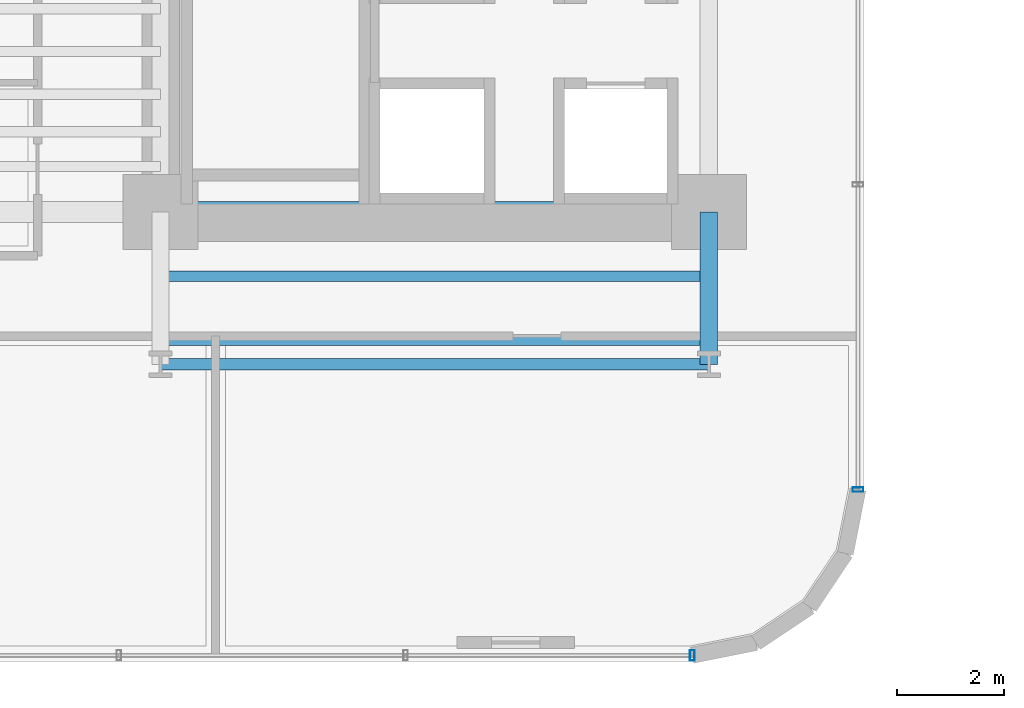
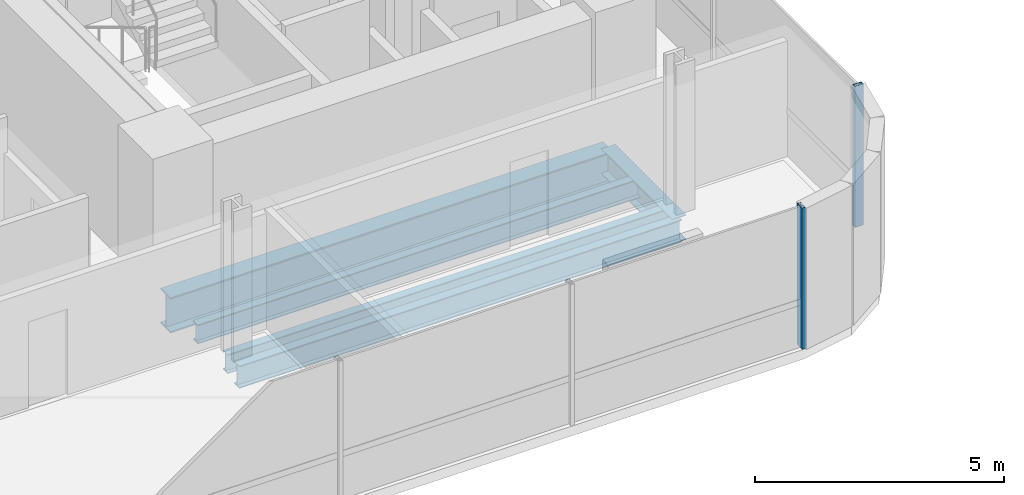
# One storey, part 5 of 40: 5 beams, 2 members, 2 elements without a shape of their own.
"""IFC4 building model written with IfcOpenShell, lengths in metres."""

from ifc_helpers import new_model, si_unit, direction, frame, origin, origin_2d, place, context, subcontext, project, spatial, hollow_rectangle, i_section, extrude, source, transform, mapped, material, material_profile, profile_set, type_object, element, aggregate, save


model = new_model("IFC4")

# Units and contexts
model_context = context("Model", 3, precision=1e-05, world=origin(), true_north=direction((0.0, 1.0)))
body_context = subcontext(model_context, "Body", "Model", "MODEL_VIEW")
ifc_project = project(units=[si_unit("LENGTHUNIT", "METRE"), si_unit("AREAUNIT", "SQUARE_METRE"), si_unit("VOLUMEUNIT", "CUBIC_METRE"), si_unit("PLANEANGLEUNIT", "RADIAN"), si_unit("MASSUNIT", "GRAM", prefix="KILO")], contexts=[model_context])

# Site, building, storey
site_placement = place(None, origin())
site = spatial("IfcSite", under=ifc_project, at=site_placement, CompositionType="ELEMENT")
building_placement = place(site_placement, origin())
building = spatial("IfcBuilding", under=site, at=building_placement, Name="Valdorenza Pilgrim Sanctuary Tower", CompositionType="ELEMENT")
storey_placement = place(building_placement, frame((0.0, 0.0, 81.5)))
storey = spatial("IfcBuildingStorey", under=building, at=storey_placement, Name="L20", CompositionType="ELEMENT", Elevation=81.5)

# Beams
ifc_material_1 = material(Name="Steel ASTM A992 Grade 50", Category="steel")
ifc_material_profile_1 = material_profile(ifc_material_1, i_section(OverallWidth=0.214111328125, OverallDepth=0.549072265625, WebThickness=0.0146484375, FlangeThickness=0.023681640625, at=origin_2d()), Name="W21X93")
ifc_profile_set_1 = profile_set([ifc_material_profile_1], Name="Steel ASTM A992 Grade 50")
beam_type_1 = type_object("IfcBeamType", Name="STR-BM-SPN-W21A", PredefinedType="SPANDREL", material=ifc_profile_set_1)
shared_shape_1 = source(origin(), body_context, "Body", "SweptSolid", [
    extrude(i_section(OverallWidth=0.214111328125, OverallDepth=0.549072265625, WebThickness=0.0146484375, FlangeThickness=0.023681640625, at=origin_2d()), origin(), (0.0, 0.0, 1.0), 10.25),
])
beam_1_placement = place(storey_placement, frame((-22.64990234375, -13.449951171875, -0.514404296875), z_axis=(1.0, 0.0, 0.0), x_axis=(0.0, 1.0, 0.0)))
element("IfcBeam", 1, at=beam_1_placement, inside=storey, type_object=beam_type_1, Name="L20 South Spandrel WA-S-TIE", PredefinedType="SPANDREL", context=body_context, shape_type="MappedRepresentation", body=[
    mapped(shared_shape_1, transform((0.0, 0.0, 0.0), x_axis=(1.0, 0.0, 0.0), y_axis=(0.0, 1.0, 0.0), z_axis=(0.0, 0.0, 1.0), scale=1.0)),
])
ifc_material_profile_2 = material_profile(ifc_material_1, i_section(OverallWidth=0.323974609375, OverallDepth=0.611083984375, WebThickness=0.0126953125, FlangeThickness=0.01904296875, at=origin_2d()), Name="W24X104")
ifc_profile_set_2 = profile_set([ifc_material_profile_2], Name="Steel ASTM A992 Grade 50")
beam_type_2 = type_object("IfcBeamType", Name="STR-BM-GRD-W24B", PredefinedType="BEAM", material=ifc_profile_set_2)
shared_shape_2 = source(origin(), body_context, "Body", "SweptSolid", [
    extrude(i_section(OverallWidth=0.323974609375, OverallDepth=0.611083984375, WebThickness=0.0126953125, FlangeThickness=0.01904296875, at=origin_2d()), origin(), (0.0, 0.0, 1.0), 2.849853515625),
])
beam_2_placement = place(storey_placement, frame((-12.39990234375, -13.449951171875, -0.54541015625), z_axis=(0.0, 1.0, 0.0), x_axis=(-1.0, 0.0, 0.0)))
element("IfcBeam", 2, at=beam_2_placement, inside=storey, type_object=beam_type_2, Name="L20 Floor Girder WA-S-LE", PredefinedType="BEAM", context=body_context, shape_type="MappedRepresentation", body=[
    mapped(shared_shape_2, transform((0.0, 0.0, 0.0), x_axis=(1.0, 0.0, 0.0), y_axis=(0.0, 1.0, 0.0), z_axis=(0.0, 0.0, 1.0), scale=1.0)),
])
ifc_material_profile_3 = material_profile(ifc_material_1, i_section(OverallWidth=0.193115234375, OverallDepth=0.466064453125, WebThickness=0.011474609375, FlangeThickness=0.01904296875, at=origin_2d()), Name="W18X65")
ifc_profile_set_3 = profile_set([ifc_material_profile_3], Name="Steel ASTM A992 Grade 50")
beam_type_3 = type_object("IfcBeamType", Name="STR-BM-JST-W18A", PredefinedType="JOIST", material=ifc_profile_set_3)
shared_shape_3 = source(origin(), body_context, "Body", "SweptSolid", [
    extrude(i_section(OverallWidth=0.193115234375, OverallDepth=0.466064453125, WebThickness=0.011474609375, FlangeThickness=0.01904296875, at=origin_2d()), origin(), (0.0, 0.0, 1.0), 10.25),
])
for number, where, z_axis, x_axis, name in (
    (3, (-22.64990234375, -13.0, -0.472900390625), (1.0, 0.0, 0.0), (0.0, 1.0, 0.0), "L20 Composite Floor Joist JST-WAS-1"),
    (4, (-22.64990234375, -11.800048828125, -0.472900390625), (1.0, 0.0, 0.0), (0.0, 1.0, 0.0), "L20 Composite Floor Joist JST-WAS-2"),
):
    element("IfcBeam", number, at=place(storey_placement, frame(where, z_axis=z_axis, x_axis=x_axis)), inside=storey, type_object=beam_type_3, Name=name, PredefinedType="JOIST", context=body_context, shape_type="MappedRepresentation", body=[
        mapped(shared_shape_3, transform((0.0, 0.0, 0.0), x_axis=(1.0, 0.0, 0.0), y_axis=(0.0, 1.0, 0.0), z_axis=(0.0, 0.0, 1.0), scale=1.0)),
    ])
ifc_material_profile_4 = material_profile(ifc_material_1, i_section(OverallWidth=0.39990234375, OverallDepth=0.862060546875, WebThickness=0.019775390625, FlangeThickness=0.032470703125, at=origin_2d()), Name="W33X221")
ifc_profile_set_4 = profile_set([ifc_material_profile_4], Name="Steel ASTM A992 Grade 50")
beam_type_4 = type_object("IfcBeamType", Name="STR-BM-GRD-W33", PredefinedType="BEAM", material=ifc_profile_set_4)
shared_shape_4 = source(origin(), body_context, "Body", "SweptSolid", [
    extrude(i_section(OverallWidth=0.39990234375, OverallDepth=0.862060546875, WebThickness=0.019775390625, FlangeThickness=0.032470703125, at=origin_2d()), origin(), (0.0, 0.0, 1.0), 10.25),
])
beam_3_placement = place(storey_placement, frame((-22.64990234375, -10.60009765625, -0.6708984375), z_axis=(1.0, 0.0, 0.0), x_axis=(0.0, 1.0, 0.0)))
element("IfcBeam", 5, at=beam_3_placement, inside=storey, type_object=beam_type_4, Name="L20 Floor Girder CA-XC-S1", PredefinedType="BEAM", context=body_context, shape_type="MappedRepresentation", body=[
    mapped(shared_shape_4, transform((0.0, 0.0, 0.0), x_axis=(1.0, 0.0, 0.0), y_axis=(0.0, 1.0, 0.0), z_axis=(0.0, 0.0, 1.0), scale=1.0)),
])

# Curtain wall, member
ifc_material_2 = material(Name="Curtain-wall IGU glazing", Category="glass")
curtain_wall_type = type_object("IfcCurtainWallType", Name="CW-SYS-02", PredefinedType="NOTDEFINED", material=ifc_material_2)
curtain_wall_1_placement = place(storey_placement, origin())
curtain_wall_1 = element("IfcCurtainWall", 6, at=curtain_wall_1_placement, inside=storey, type_object=curtain_wall_type, Name="L20 Curtain Wall CW-L20-1-41", PredefinedType="NOTDEFINED")
ifc_material_3 = material(Name="Anodised aluminium AW-6060", Category="aluminium")
ifc_material_profile_5 = material_profile(ifc_material_3, hollow_rectangle(XDim=0.0849609375, YDim=0.199951171875, WallThickness=0.0048828125, at=origin_2d()), Name="ALU-M 200x85x5")
ifc_profile_set_5 = profile_set([ifc_material_profile_5], Name="Anodised aluminium AW-6060")
member_type = type_object("IfcMemberType", Name="CW-MUL-02", PredefinedType="MULLION", material=ifc_profile_set_5)
shared_shape_5 = source(origin(), body_context, "Body", "SweptSolid", [
    extrude(hollow_rectangle(XDim=0.0849609375, YDim=0.199951171875, WallThickness=0.0048828125, at=origin_2d()), origin(), (0.0, 0.0, 1.0), 3.4599609375),
])
member_1_placement = place(storey_placement, frame((-9.610107421875, -15.789306640625, 0.0), z_axis=(0.0, 0.0, 1.0), x_axis=(0.0, -1.0, 0.0)))
member_1 = element("IfcMember", 7, at=member_1_placement, type_object=member_type, Name="CW-L20-1-41 Mullion 5", PredefinedType="MULLION", context=body_context, shape_type="MappedRepresentation", body=[
    mapped(shared_shape_5, transform((0.0, 0.0, 0.0), x_axis=(1.0, 0.0, 0.0), y_axis=(0.0, 1.0, 0.0), z_axis=(0.0, 0.0, 1.0), scale=1.0)),
])
aggregate(curtain_wall_1, [member_1])

curtain_wall_2_placement = place(storey_placement, origin())
curtain_wall_2 = element("IfcCurtainWall", 8, at=curtain_wall_2_placement, inside=storey, type_object=curtain_wall_type, Name="L20 Curtain Wall CW-L20-1-46", PredefinedType="NOTDEFINED")
member_2_placement = place(storey_placement, frame((-12.710693359375, -18.889892578125, 0.0), z_axis=(0.0, 0.0, 1.0), x_axis=(-1.0, 0.0, 0.0)))
member_2 = element("IfcMember", 9, at=member_2_placement, type_object=member_type, Name="CW-L20-1-46 Mullion 1", PredefinedType="MULLION", context=body_context, shape_type="MappedRepresentation", body=[
    mapped(shared_shape_5, transform((0.0, 0.0, 0.0), x_axis=(1.0, 0.0, 0.0), y_axis=(0.0, 1.0, 0.0), z_axis=(0.0, 0.0, 1.0), scale=1.0)),
])
aggregate(curtain_wall_2, [member_2])

save(model, "model.ifc")
